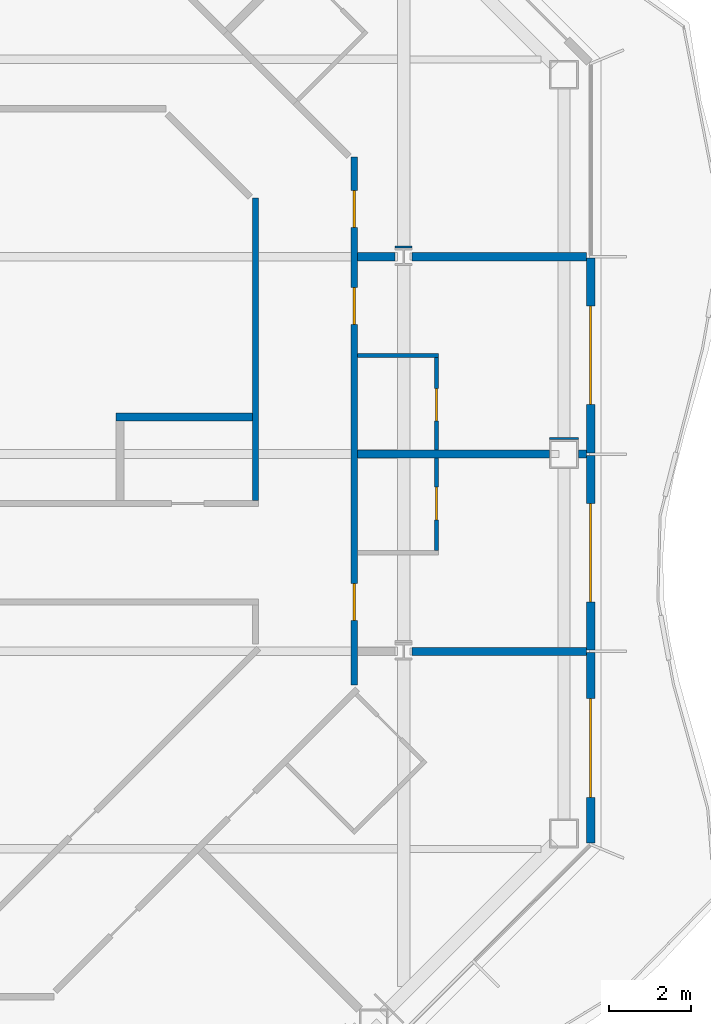
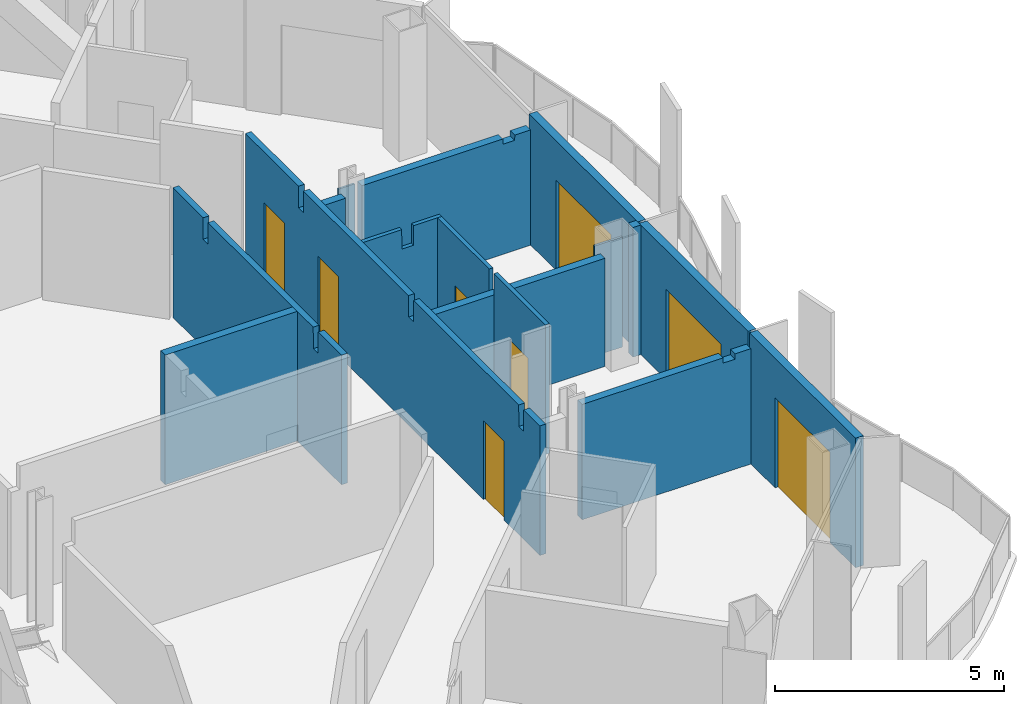
# One storey, part 11 of 21: 16 walls, 8 doors, 8 openings.
"""IFC4 building model written with IfcOpenShell, lengths in metres."""

from ifc_helpers import new_model, si_unit, direction, frame, frame_2d, origin, place, context, subcontext, project, spatial, polyline, rectangle, outline, extrude, material, layer, layer_set, type_object, element, fill, save


model = new_model("IFC4")

# Units and contexts
model_context = context("Model", 3, precision=1e-05, world=origin(), true_north=direction((0.0, 1.0)))
body_context = subcontext(model_context, "Body", "Model", "MODEL_VIEW")
ifc_project = project(units=[si_unit("LENGTHUNIT", "METRE"), si_unit("AREAUNIT", "SQUARE_METRE"), si_unit("VOLUMEUNIT", "CUBIC_METRE"), si_unit("PLANEANGLEUNIT", "RADIAN"), si_unit("MASSUNIT", "GRAM", prefix="KILO")], contexts=[model_context])

# Site, building, storey
site_placement = place(None, origin())
site = spatial("IfcSite", under=ifc_project, at=site_placement, CompositionType="ELEMENT")
building_placement = place(site_placement, origin())
building = spatial("IfcBuilding", under=site, at=building_placement, Name="Cairn Pilgrim Tower", CompositionType="ELEMENT")
storey_placement = place(building_placement, frame((0.0, 0.0, 139.800048828125)))
storey = spatial("IfcBuildingStorey", under=building, at=storey_placement, Name="L34", CompositionType="ELEMENT", Elevation=139.800048828125)

# Wall, opening, door
ifc_material_1 = material(Name="Bronze anodised aluminium insulated sandwich panel with mineral wool fill", Category="aluminium")
ifc_layer_1 = layer(ifc_material_1, 0.199951171875)
ifc_layer_set_1 = layer_set([ifc_layer_1], Name="BRONZE INFILL FRAME WALL 200")
wall_type_1 = type_object("IfcWallType", Name="BRONZE INFILL FRAME WALL 200", PredefinedType="NOTDEFINED", material=ifc_layer_set_1)
wall_1_placement = place(storey_placement, frame((35.75, -4.656494140625, 0.0), z_axis=(0.0, 0.0, 1.0), x_axis=(0.0, 1.0, 0.0)))
wall_1 = element("IfcWall", 1, at=wall_1_placement, inside=storey, type_object=wall_type_1, Name="Bronze infill frame wall IW-E1", PredefinedType="NOTDEFINED", context=body_context, shape_type="SweptSolid", body=[
    extrude(rectangle(XDim=4.62646484375, YDim=0.199951171875, at=frame_2d((2.313232421875, 0.0))), origin(), (0.0, 0.0, 1.0), 3.449951171875),
])
opening_1_placement = place(wall_1_placement, frame((1.1083984375, 0.0, 0.0)))
opening_1 = element("IfcOpeningElement", 2, at=opening_1_placement, cuts=wall_1, Name="Opening 3405B", PredefinedType="OPENING", context=body_context, shape_type="SweptSolid", body=[
    extrude(rectangle(XDim=2.39990234375, YDim=2.39990234375, at=frame_2d((1.199951171875, 1.199951171875))), frame((0.0, 0.10986328125, 0.0), z_axis=(0.0, -1.0, 0.0), x_axis=(1.0, 0.0, 0.0)), (0.0, 0.0, 1.0), 0.219970703125),
])
ifc_material_2 = material(Name="Bronze anodised aluminium frame with tinted low-E glass", Category="aluminium")
door_type_1 = type_object("IfcDoorType", Name="BALCONY SLIDING DOOR 2400x2400", OperationType="DOUBLE_DOOR_SLIDING", PredefinedType="DOOR", material=ifc_material_2)
door_1_placement = place(opening_1_placement, origin())
door_1 = element("IfcDoor", 3, at=door_1_placement, inside=storey, type_object=door_type_1, Name="Balcony sliding door 3405B", OperationType="SINGLE_SWING_LEFT", OverallHeight=2.39990234375, OverallWidth=2.39990234375, PredefinedType="DOOR", context=body_context, shape_type="SweptSolid", body=[
    extrude(rectangle(XDim=2.39990234375, YDim=2.39990234375, at=frame_2d((1.199951171875, 1.199951171875))), frame((0.0, 0.02490234375, 0.0), z_axis=(0.0, -1.0, 0.0), x_axis=(1.0, 0.0, 0.0)), (0.0, 0.0, 1.0), 0.050048828125),
])
fill(opening_1, door_1)

wall_2_placement = place(storey_placement, frame((35.75, 0.030029296875, 0.0), z_axis=(0.0, 0.0, 1.0), x_axis=(0.0, 1.0, 0.0)))
wall_2 = element("IfcWall", 4, at=wall_2_placement, inside=storey, type_object=wall_type_1, Name="Bronze infill frame wall IW-E2", PredefinedType="NOTDEFINED", context=body_context, shape_type="SweptSolid", body=[
    extrude(rectangle(XDim=4.739990234375, YDim=0.199951171875, at=frame_2d((2.3701171875, 0.0))), origin(), (0.0, 0.0, 1.0), 3.449951171875),
])
opening_2_placement = place(wall_2_placement, frame((1.169921875, 0.0, 0.0)))
opening_2 = element("IfcOpeningElement", 5, at=opening_2_placement, cuts=wall_2, Name="Opening 3406B", PredefinedType="OPENING", context=body_context, shape_type="SweptSolid", body=[
    extrude(rectangle(XDim=2.39990234375, YDim=2.39990234375, at=frame_2d((1.199951171875, 1.199951171875))), frame((0.0, 0.10986328125, 0.0), z_axis=(0.0, -1.0, 0.0), x_axis=(1.0, 0.0, 0.0)), (0.0, 0.0, 1.0), 0.219970703125),
])
door_2_placement = place(opening_2_placement, origin())
door_2 = element("IfcDoor", 6, at=door_2_placement, inside=storey, type_object=door_type_1, Name="Balcony sliding door 3406B", OperationType="SINGLE_SWING_LEFT", OverallHeight=2.39990234375, OverallWidth=2.39990234375, PredefinedType="DOOR", context=body_context, shape_type="SweptSolid", body=[
    extrude(rectangle(XDim=2.39990234375, YDim=2.39990234375, at=frame_2d((1.199951171875, 1.199951171875))), frame((0.0, 0.02490234375, 0.0), z_axis=(0.0, -1.0, 0.0), x_axis=(1.0, 0.0, 0.0)), (0.0, 0.0, 1.0), 0.050048828125),
])
fill(opening_2, door_2)

wall_3_placement = place(storey_placement, frame((35.75, 4.830078125, 0.0), z_axis=(0.0, 0.0, 1.0), x_axis=(0.0, 1.0, 0.0)))
wall_3 = element("IfcWall", 7, at=wall_3_placement, inside=storey, type_object=wall_type_1, Name="Bronze infill frame wall IW-E3", PredefinedType="NOTDEFINED", context=body_context, shape_type="SweptSolid", body=[
    extrude(rectangle(XDim=4.739990234375, YDim=0.199951171875, at=frame_2d((2.3701171875, 0.0))), origin(), (0.0, 0.0, 1.0), 3.449951171875),
])
opening_3_placement = place(wall_3_placement, frame((1.169921875, 0.0, 0.0)))
opening_3 = element("IfcOpeningElement", 8, at=opening_3_placement, cuts=wall_3, Name="Opening 3407B", PredefinedType="OPENING", context=body_context, shape_type="SweptSolid", body=[
    extrude(rectangle(XDim=2.39990234375, YDim=2.39990234375, at=frame_2d((1.199951171875, 1.199951171875))), frame((0.0, 0.10986328125, 0.0), z_axis=(0.0, -1.0, 0.0), x_axis=(1.0, 0.0, 0.0)), (0.0, 0.0, 1.0), 0.219970703125),
])
door_3_placement = place(opening_3_placement, origin())
door_3 = element("IfcDoor", 9, at=door_3_placement, inside=storey, type_object=door_type_1, Name="Balcony sliding door 3407B", OperationType="SINGLE_SWING_LEFT", OverallHeight=2.39990234375, OverallWidth=2.39990234375, PredefinedType="DOOR", context=body_context, shape_type="SweptSolid", body=[
    extrude(rectangle(XDim=2.39990234375, YDim=2.39990234375, at=frame_2d((1.199951171875, 1.199951171875))), frame((0.0, 0.02490234375, 0.0), z_axis=(0.0, -1.0, 0.0), x_axis=(1.0, 0.0, 0.0)), (0.0, 0.0, 1.0), 0.050048828125),
])
fill(opening_3, door_3)

ifc_material_3 = material(Name="Gypsum partition")
ifc_layer_2 = layer(ifc_material_3, 0.10009765625)
ifc_layer_set_2 = layer_set([ifc_layer_2], Name="PARTITION 100 DRYWALL")
wall_type_2 = type_object("IfcWallType", Name="PARTITION 100 DRYWALL", PredefinedType="PARTITIONING", material=ifc_layer_set_2)
wall_4_placement = place(storey_placement, frame((32.0, 2.449951171875, 0.0), z_axis=(0.0, 0.0, 1.0), x_axis=(0.0, 1.0, 0.0)))
wall_4 = element("IfcWall", 10, at=wall_4_placement, inside=storey, type_object=wall_type_2, Name="PARTITION W050", PredefinedType="PARTITIONING", context=body_context, shape_type="SweptSolid", body=[
    extrude(rectangle(XDim=2.25, YDim=0.10009765625, at=frame_2d((1.125, 0.0))), origin(), (0.0, 0.0, 1.0), 3.449951171875),
])
opening_4_placement = place(wall_4_placement, frame((0.75, 0.0, 0.0)))
opening_4 = element("IfcOpeningElement", 11, at=opening_4_placement, cuts=wall_4, Name="Opening 3406A", PredefinedType="OPENING", context=body_context, shape_type="SweptSolid", body=[
    extrude(rectangle(XDim=0.800048828125, YDim=2.10009765625, at=frame_2d((0.39990234375, 1.050048828125))), frame((0.0, 0.06005859375, 0.0), z_axis=(0.0, -1.0, 0.0), x_axis=(1.0, 0.0, 0.0)), (0.0, 0.0, 1.0), 0.1201171875),
])
ifc_material_4 = material(Name="Timber door leaf", Category="wood")
door_type_2 = type_object("IfcDoorType", Name="WC DOOR 800x2100", OperationType="NOTDEFINED", PredefinedType="DOOR", material=ifc_material_4)
door_4_placement = place(opening_4_placement, frame((0.800048828125, 0.0, 0.0), z_axis=(0.0, 0.0, 1.0), x_axis=(-1.0, 0.0, 0.0)))
door_4 = element("IfcDoor", 12, at=door_4_placement, inside=storey, type_object=door_type_2, Name="DOOR 3406A", OperationType="SINGLE_SWING_LEFT", OverallHeight=2.10009765625, OverallWidth=0.800048828125, PredefinedType="DOOR", context=body_context, shape_type="SweptSolid", body=[
    extrude(rectangle(XDim=0.800048828125, YDim=2.10009765625, at=frame_2d((0.39990234375, 1.050048828125))), frame((0.0, 0.02490234375, 0.0), z_axis=(0.0, -1.0, 0.0), x_axis=(1.0, 0.0, 0.0)), (0.0, 0.0, 1.0), 0.050048828125),
])
fill(opening_4, door_4)

wall_5_placement = place(storey_placement, frame((32.0, 4.89990234375, 0.0), z_axis=(0.0, 0.0, 1.0), x_axis=(0.0, 1.0, 0.0)))
wall_5 = element("IfcWall", 13, at=wall_5_placement, inside=storey, type_object=wall_type_2, Name="PARTITION W063", PredefinedType="PARTITIONING", context=body_context, shape_type="SweptSolid", body=[
    extrude(rectangle(XDim=2.25, YDim=0.10009765625, at=frame_2d((1.125, 0.0))), origin(), (0.0, 0.0, 1.0), 3.449951171875),
])
opening_5_placement = place(wall_5_placement, frame((0.699951171875, 0.0, 0.0)))
opening_5 = element("IfcOpeningElement", 14, at=opening_5_placement, cuts=wall_5, Name="Opening 3407A", PredefinedType="OPENING", context=body_context, shape_type="SweptSolid", body=[
    extrude(rectangle(XDim=0.800048828125, YDim=2.10009765625, at=frame_2d((0.39990234375, 1.050048828125))), frame((0.0, 0.06005859375, 0.0), z_axis=(0.0, -1.0, 0.0), x_axis=(1.0, 0.0, 0.0)), (0.0, 0.0, 1.0), 0.1201171875),
])
door_5_placement = place(opening_5_placement, frame((0.800048828125, 0.0, 0.0), z_axis=(0.0, 0.0, 1.0), x_axis=(-1.0, 0.0, 0.0)))
door_5 = element("IfcDoor", 15, at=door_5_placement, inside=storey, type_object=door_type_2, Name="DOOR 3407A", OperationType="SINGLE_SWING_LEFT", OverallHeight=2.10009765625, OverallWidth=0.800048828125, PredefinedType="DOOR", context=body_context, shape_type="SweptSolid", body=[
    extrude(rectangle(XDim=0.800048828125, YDim=2.10009765625, at=frame_2d((0.39990234375, 1.050048828125))), frame((0.0, 0.02490234375, 0.0), z_axis=(0.0, -1.0, 0.0), x_axis=(1.0, 0.0, 0.0)), (0.0, 0.0, 1.0), 0.050048828125),
])
fill(opening_5, door_5)

# Wall
wall_6_placement = place(storey_placement, frame((30.074951171875, 7.199951171875, 0.0), z_axis=(0.0, 0.0, 1.0), x_axis=(1.0, 0.0, 0.0)))
element("IfcWall", 16, at=wall_6_placement, inside=storey, type_object=wall_type_2, Name="PARTITION W066", PredefinedType="PARTITIONING", context=body_context, shape_type="SweptSolid", body=[
    extrude(outline(polyline([(0.0, 0.0), (1.97509765625, 0.0), (1.97509765625, 3.449951171875), (1.27490234375, 3.449951171875), (1.27294921875, 2.929931640625), (0.97509765625, 2.929931640625), (0.972900390625, 3.449951171875), (0.0, 3.449951171875), (0.0, 0.0)])), frame((0.0, 0.050048828125, 0.0), z_axis=(0.0, -1.0, 0.0), x_axis=(1.0, 0.0, 0.0)), (0.0, 0.0, 1.0), 0.10009765625),
])

# Wall, openings, doors
ifc_layer_3 = layer(ifc_material_3, 0.14990234375)
ifc_layer_set_3 = layer_set([ifc_layer_3], Name="PARTITION 150 DRYWALL EI 60")
wall_type_3 = type_object("IfcWallType", Name="PARTITION 150 DRYWALL EI 60", PredefinedType="PARTITIONING", material=ifc_layer_set_3)
wall_7_placement = place(storey_placement, frame((30.0, -0.81298828125, 0.0), z_axis=(0.0, 0.0, 1.0), x_axis=(0.0, 1.0, 0.0)))
wall_7 = element("IfcWall", 17, at=wall_7_placement, inside=storey, type_object=wall_type_3, Name="PARTITION W042", PredefinedType="PARTITIONING", context=body_context, shape_type="SweptSolid", body=[
    extrude(outline(polyline([(0.0, 0.0), (12.833984375, 0.0), (12.833984375, 3.449951171875), (10.517822265625, 3.449951171875), (10.515869140625, 2.8798828125), (10.307861328125, 2.8798828125), (10.305908203125, 3.449951171875), (5.718017578125, 3.449951171875), (5.7158203125, 2.8798828125), (5.5078125, 2.8798828125), (5.505859375, 3.449951171875), (0.91796875, 3.449951171875), (0.916015625, 2.8798828125), (0.7080078125, 2.8798828125), (0.705810546875, 3.449951171875), (0.0, 3.449951171875), (0.0, 0.0)])), frame((0.0, 0.074951171875, 0.0), z_axis=(0.0, -1.0, 0.0), x_axis=(1.0, 0.0, 0.0)), (0.0, 0.0, 1.0), 0.14990234375),
])
opening_6_placement = place(wall_7_placement, frame((1.56298828125, 0.0, 0.0)))
opening_6 = element("IfcOpeningElement", 18, at=opening_6_placement, cuts=wall_7, Name="Opening 3406", PredefinedType="OPENING", context=body_context, shape_type="SweptSolid", body=[
    extrude(rectangle(XDim=0.89990234375, YDim=2.10009765625, at=frame_2d((0.449951171875, 1.050048828125))), frame((0.0, 0.0849609375, 0.0), z_axis=(0.0, -1.0, 0.0), x_axis=(1.0, 0.0, 0.0)), (0.0, 0.0, 1.0), 0.169921875),
])
opening_7_placement = place(wall_7_placement, frame((8.762939453125, 0.0, 0.0)))
opening_7 = element("IfcOpeningElement", 19, at=opening_7_placement, cuts=wall_7, Name="Opening 3407", PredefinedType="OPENING", context=body_context, shape_type="SweptSolid", body=[
    extrude(rectangle(XDim=0.89990234375, YDim=2.10009765625, at=frame_2d((0.449951171875, 1.050048828125))), frame((0.0, 0.0849609375, 0.0), z_axis=(0.0, -1.0, 0.0), x_axis=(1.0, 0.0, 0.0)), (0.0, 0.0, 1.0), 0.169921875),
])
opening_8_placement = place(wall_7_placement, frame((11.120849609375, 0.0, 0.0)))
opening_8 = element("IfcOpeningElement", 20, at=opening_8_placement, cuts=wall_7, Name="Opening 3408", PredefinedType="OPENING", context=body_context, shape_type="SweptSolid", body=[
    extrude(rectangle(XDim=0.89990234375, YDim=2.10009765625, at=frame_2d((0.449951171875, 1.050048828125))), frame((0.0, 0.0849609375, 0.0), z_axis=(0.0, -1.0, 0.0), x_axis=(1.0, 0.0, 0.0)), (0.0, 0.0, 1.0), 0.169921875),
])
door_type_3 = type_object("IfcDoorType", Name="ROOM DOOR 900x2100 FD30S", OperationType="NOTDEFINED", PredefinedType="DOOR", material=ifc_material_4)
door_6_placement = place(opening_6_placement, frame((0.89990234375, 0.0, 0.0), z_axis=(0.0, 0.0, 1.0), x_axis=(-1.0, 0.0, 0.0)))
door_6 = element("IfcDoor", 21, at=door_6_placement, inside=storey, type_object=door_type_3, Name="DOOR 3406", OperationType="SINGLE_SWING_LEFT", OverallHeight=2.10009765625, OverallWidth=0.89990234375, PredefinedType="DOOR", context=body_context, shape_type="SweptSolid", body=[
    extrude(rectangle(XDim=0.89990234375, YDim=2.10009765625, at=frame_2d((0.449951171875, 1.050048828125))), frame((0.0, 0.02490234375, 0.0), z_axis=(0.0, -1.0, 0.0), x_axis=(1.0, 0.0, 0.0)), (0.0, 0.0, 1.0), 0.050048828125),
])
fill(opening_6, door_6)
door_7_placement = place(opening_7_placement, frame((0.89990234375, 0.0, 0.0), z_axis=(0.0, 0.0, 1.0), x_axis=(-1.0, 0.0, 0.0)))
door_7 = element("IfcDoor", 22, at=door_7_placement, inside=storey, type_object=door_type_3, Name="DOOR 3407", OperationType="SINGLE_SWING_LEFT", OverallHeight=2.10009765625, OverallWidth=0.89990234375, PredefinedType="DOOR", context=body_context, shape_type="SweptSolid", body=[
    extrude(rectangle(XDim=0.89990234375, YDim=2.10009765625, at=frame_2d((0.449951171875, 1.050048828125))), frame((0.0, 0.02490234375, 0.0), z_axis=(0.0, -1.0, 0.0), x_axis=(1.0, 0.0, 0.0)), (0.0, 0.0, 1.0), 0.050048828125),
])
fill(opening_7, door_7)
door_8_placement = place(opening_8_placement, frame((0.89990234375, 0.0, 0.0), z_axis=(0.0, 0.0, 1.0), x_axis=(-1.0, 0.0, 0.0)))
door_8 = element("IfcDoor", 23, at=door_8_placement, inside=storey, type_object=door_type_3, Name="DOOR 3408", OperationType="SINGLE_SWING_LEFT", OverallHeight=2.10009765625, OverallWidth=0.89990234375, PredefinedType="DOOR", context=body_context, shape_type="SweptSolid", body=[
    extrude(rectangle(XDim=0.89990234375, YDim=2.10009765625, at=frame_2d((0.449951171875, 1.050048828125))), frame((0.0, 0.02490234375, 0.0), z_axis=(0.0, -1.0, 0.0), x_axis=(1.0, 0.0, 0.0)), (0.0, 0.0, 1.0), 0.050048828125),
])
fill(opening_8, door_8)

# Walls
wall_8_placement = place(storey_placement, frame((27.60009765625, 3.675048828125, 0.0), z_axis=(0.0, 0.0, 1.0), x_axis=(0.0, 1.0, 0.0)))
element("IfcWall", 24, at=wall_8_placement, inside=storey, type_object=wall_type_3, Name="PARTITION W057", PredefinedType="PARTITIONING", context=body_context, shape_type="SweptSolid", body=[
    extrude(outline(polyline([(0.0, 0.0), (7.35205078125, 0.0), (7.35205078125, 3.449951171875), (6.030029296875, 3.449951171875), (6.028076171875, 2.8798828125), (5.820068359375, 2.8798828125), (5.818115234375, 3.449951171875), (1.22998046875, 3.449951171875), (1.22802734375, 2.8798828125), (1.02001953125, 2.8798828125), (1.01806640625, 3.449951171875), (0.0, 3.449951171875), (0.0, 0.0)])), frame((0.0, 0.074951171875, 0.0), z_axis=(0.0, -1.0, 0.0), x_axis=(1.0, 0.0, 0.0)), (0.0, 0.0, 1.0), 0.14990234375),
])
ifc_layer_4 = layer(ifc_material_3, 0.050048828125)
ifc_layer_set_4 = layer_set([ifc_layer_4], Name="PARTITION 50 DRYWALL EI 60")
wall_type_4 = type_object("IfcWallType", Name="PARTITION 50 DRYWALL EI 60", PredefinedType="PARTITIONING", material=ifc_layer_set_4)
wall_9_placement = place(storey_placement, frame((34.75, 5.175048828125, 0.0), z_axis=(0.0, 0.0, 1.0), x_axis=(1.0, 0.0, 0.0)))
element("IfcWall", 25, at=wall_9_placement, inside=storey, type_object=wall_type_4, Name="COLUMN CASING WC22", PredefinedType="PARTITIONING", context=body_context, shape_type="SweptSolid", body=[
    extrude(rectangle(XDim=0.699951171875, YDim=0.050048828125, at=frame_2d((0.35009765625, 0.0))), origin(), (0.0, 0.0, 1.0), 2.929931640625),
])
wall_10_placement = place(storey_placement, frame((30.99560546875, 9.83740234375, 0.0), z_axis=(0.0, 0.0, 1.0), x_axis=(1.0, 0.0, 0.0)))
element("IfcWall", 26, at=wall_10_placement, inside=storey, type_object=wall_type_4, Name="COLUMN CASING WC23", PredefinedType="PARTITIONING", context=body_context, shape_type="SweptSolid", body=[
    extrude(rectangle(XDim=0.408935546875, YDim=0.050048828125, at=frame_2d((0.20458984375, 0.0))), origin(), (0.0, 0.0, 1.0), 2.929931640625),
])
ifc_layer_5 = layer(ifc_material_3, 0.199951171875)
ifc_layer_set_5 = layer_set([ifc_layer_5], Name="SHAFT WALL 200 GYPSUM EI 60")
wall_type_5 = type_object("IfcWallType", Name="SHAFT WALL 200 GYPSUM EI 60", PredefinedType="PARTITIONING", material=ifc_layer_set_5)
wall_11_placement = place(storey_placement, frame((31.404541015625, 0.0, 0.0), z_axis=(0.0, 0.0, 1.0), x_axis=(1.0, 0.0, 0.0)))
element("IfcWall", 27, at=wall_11_placement, inside=storey, type_object=wall_type_5, Name="PARTITION W045", PredefinedType="PARTITIONING", context=body_context, shape_type="SweptSolid", body=[
    extrude(outline(polyline([(0.0, 0.0), (4.245361328125, 0.0), (4.24560546875, 3.070068359375), (3.845458984375, 3.070068359375), (3.843505859375, 2.929931640625), (3.54541015625, 2.929931640625), (3.54345703125, 3.070068359375), (0.0, 3.070068359375), (0.0, 0.0)])), frame((0.0, 0.10009765625, 0.0), z_axis=(0.0, -1.0, 0.0), x_axis=(1.0, 0.0, 0.0)), (0.0, 0.0, 1.0), 0.199951171875),
])
wall_12_placement = place(storey_placement, frame((30.074951171875, 4.800048828125, 0.0), z_axis=(0.0, 0.0, 1.0), x_axis=(1.0, 0.0, 0.0)))
element("IfcWall", 28, at=wall_12_placement, inside=storey, type_object=wall_type_5, Name="PARTITION W060", PredefinedType="PARTITIONING", context=body_context, shape_type="SweptSolid", body=[
    extrude(rectangle(XDim=4.675048828125, YDim=0.199951171875, at=frame_2d((2.33740234375, 0.0))), origin(), (0.0, 0.0, 1.0), 2.8798828125),
])
wall_13_placement = place(storey_placement, frame((35.449951171875, 4.800048828125, 0.0), z_axis=(0.0, 0.0, 1.0), x_axis=(1.0, 0.0, 0.0)))
element("IfcWall", 29, at=wall_13_placement, inside=storey, type_object=wall_type_5, Name="PARTITION W061", PredefinedType="PARTITIONING", context=body_context, shape_type="SweptSolid", body=[
    extrude(rectangle(XDim=0.199951171875, YDim=0.199951171875, at=frame_2d((0.10009765625, 0.0))), origin(), (0.0, 0.0, 1.0), 3.449951171875),
])
wall_14_placement = place(storey_placement, frame((24.199951171875, 5.699951171875, 0.0), z_axis=(0.0, 0.0, 1.0), x_axis=(1.0, 0.0, 0.0)))
element("IfcWall", 30, at=wall_14_placement, inside=storey, type_object=wall_type_5, Name="PARTITION W064", PredefinedType="PARTITIONING", context=body_context, shape_type="SweptSolid", body=[
    extrude(rectangle(XDim=3.324951171875, YDim=0.199951171875, at=frame_2d((1.66259765625, 0.0))), origin(), (0.0, 0.0, 1.0), 3.449951171875),
])
wall_15_placement = place(storey_placement, frame((30.074951171875, 9.60009765625, 0.0), z_axis=(0.0, 0.0, 1.0), x_axis=(1.0, 0.0, 0.0)))
element("IfcWall", 31, at=wall_15_placement, inside=storey, type_object=wall_type_5, Name="PARTITION W067", PredefinedType="PARTITIONING", context=body_context, shape_type="SweptSolid", body=[
    extrude(rectangle(XDim=0.920654296875, YDim=0.199951171875, at=frame_2d((0.46044921875, 0.0))), origin(), (0.0, 0.0, 1.0), 2.8798828125),
])
wall_16_placement = place(storey_placement, frame((31.404541015625, 9.60009765625, 0.0), z_axis=(0.0, 0.0, 1.0), x_axis=(1.0, 0.0, 0.0)))
element("IfcWall", 32, at=wall_16_placement, inside=storey, type_object=wall_type_5, Name="PARTITION W068", PredefinedType="PARTITIONING", context=body_context, shape_type="SweptSolid", body=[
    extrude(outline(polyline([(0.0, 0.0), (4.245361328125, 0.0), (4.24560546875, 3.070068359375), (3.845458984375, 3.070068359375), (3.843505859375, 2.929931640625), (3.54541015625, 2.929931640625), (3.54345703125, 3.070068359375), (0.0, 3.070068359375), (0.0, 0.0)])), frame((0.0, 0.10009765625, 0.0), z_axis=(0.0, -1.0, 0.0), x_axis=(1.0, 0.0, 0.0)), (0.0, 0.0, 1.0), 0.199951171875),
])

save(model, "model.ifc")
